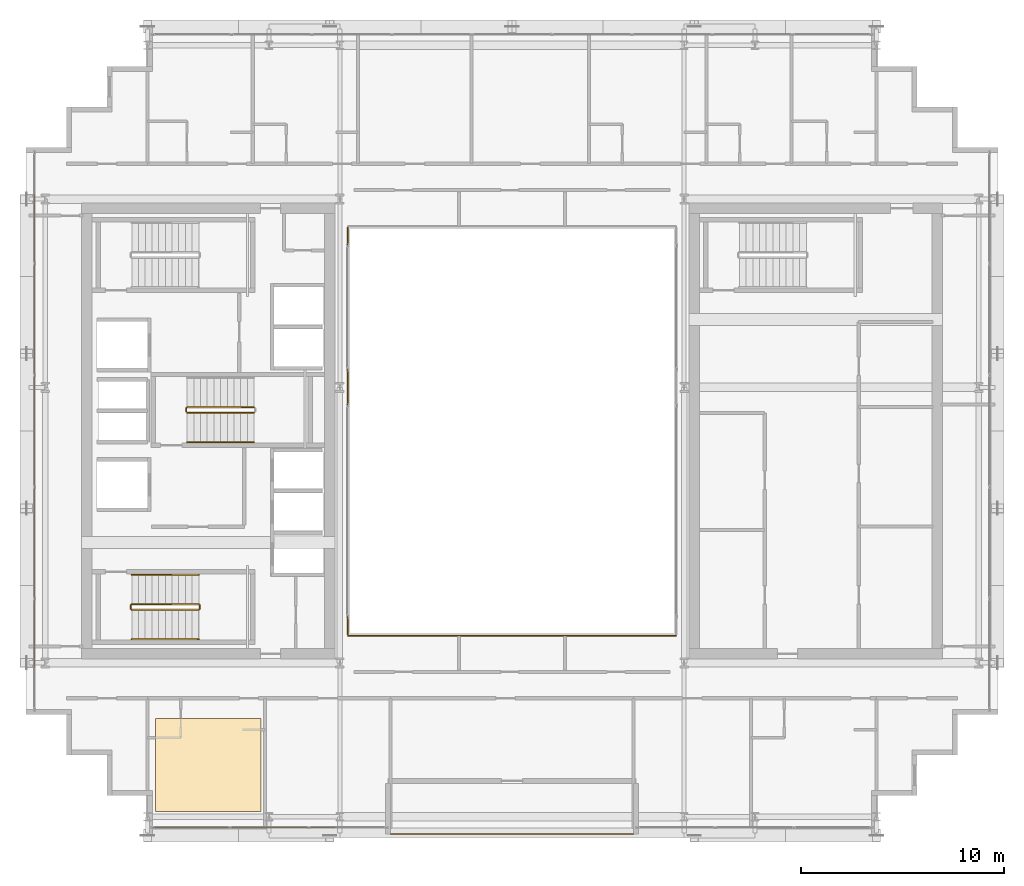
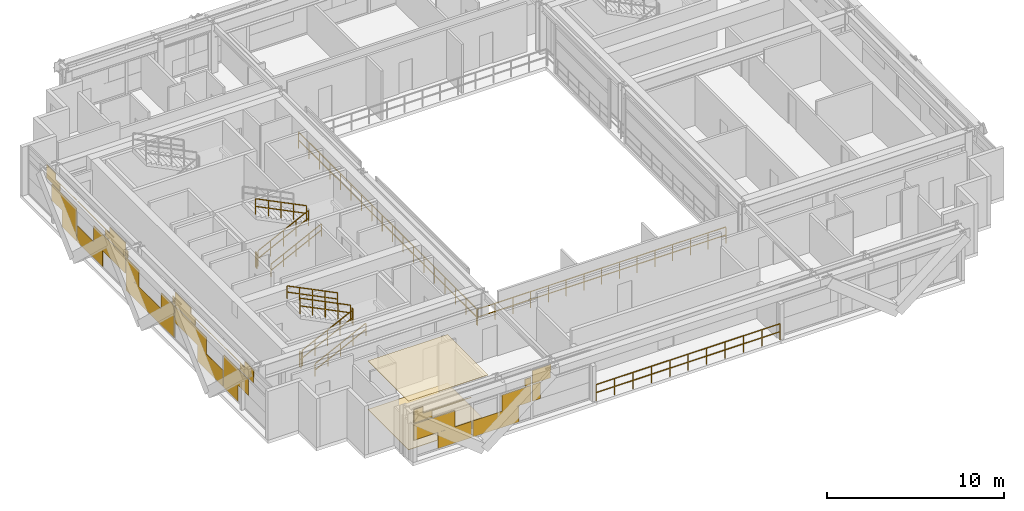
# One storey, part 34 of 37: 13 railings, 4 coverings.
"""IFC4 building model written with IfcOpenShell, lengths in metres."""

from ifc_helpers import new_model, si_unit, direction, frame, origin, origin_2d, place, context, subcontext, project, spatial, polyline, rectangle, outline, extrude, material, layer, layer_set, type_object, element, save


model = new_model("IFC4")

# Units and contexts
model_context = context("Model", 3, precision=1e-05, world=origin(), true_north=direction((0.0, 1.0)))
body_context = subcontext(model_context, "Body", "Model", "MODEL_VIEW")
ifc_project = project(units=[si_unit("LENGTHUNIT", "METRE"), si_unit("AREAUNIT", "SQUARE_METRE"), si_unit("VOLUMEUNIT", "CUBIC_METRE"), si_unit("PLANEANGLEUNIT", "RADIAN"), si_unit("MASSUNIT", "GRAM", prefix="KILO")], contexts=[model_context])

# Site, building, storey
site_placement = place(None, origin())
site = spatial("IfcSite", under=ifc_project, at=site_placement, CompositionType="ELEMENT")
building_placement = place(site_placement, origin())
building = spatial("IfcBuilding", under=site, at=building_placement, Name="Ocotamira Hotel", CompositionType="ELEMENT")
storey_placement = place(building_placement, frame((0.0, 0.0, 192.0)))
storey = spatial("IfcBuildingStorey", under=building, at=storey_placement, Name="L48", CompositionType="ELEMENT", Elevation=192.0)

# Coverings
ifc_material_1 = material(Name="Perforated acoustic gypsum ceiling board", Category="gypsum")
ifc_layer_1 = layer(ifc_material_1, 0.02490234375)
ifc_layer_set_1 = layer_set([ifc_layer_1], Name="Perforated acoustic gypsum ceiling board")
covering_type_1 = type_object("IfcCoveringType", Name="COV-CEIL-25", PredefinedType="CEILING", material=ifc_layer_set_1)
covering_1_placement = place(storey_placement, frame((0.0, 0.0, 3.344970703125)))
element("IfcCovering", 1, at=covering_1_placement, inside=storey, type_object=covering_type_1, Name="L48 Acoustic Ceiling", PredefinedType="CEILING", context=body_context, shape_type="SweptSolid", body=[
    extrude(outline(polyline([(14.39990234375, 7.199951171875), (19.60009765625, 7.199951171875), (19.60009765625, 11.800048828125), (14.39990234375, 11.800048828125), (14.39990234375, 7.199951171875)])), origin(), (0.0, 0.0, 1.0), 0.025146484375),
])
ifc_material_2 = material(Name="Honed desert travertine stone flooring", Category="masonry")
ifc_layer_2 = layer(ifc_material_2, 0.030029296875)
ifc_layer_set_2 = layer_set([ifc_layer_2], Name="Honed desert travertine stone flooring")
covering_type_2 = type_object("IfcCoveringType", Name="COV-FLOR-30", PredefinedType="FLOORING", material=ifc_layer_set_2)
covering_2_placement = place(storey_placement, origin())
element("IfcCovering", 2, at=covering_2_placement, inside=storey, type_object=covering_type_2, Name="L48 Honed Stone Floor Finish", PredefinedType="FLOORING", context=body_context, shape_type="SweptSolid", body=[
    extrude(outline(polyline([(14.39990234375, 7.199951171875), (19.60009765625, 7.199951171875), (19.60009765625, 11.800048828125), (14.39990234375, 11.800048828125), (14.39990234375, 7.199951171875)])), origin(), (0.0, 0.0, 1.0), 0.030029296875),
])
ifc_material_3 = material(Name="Insulated pale-metal aluminium spandrel panel", Category="aluminium")
ifc_layer_3 = layer(ifc_material_3, 0.044921875)
ifc_layer_set_3 = layer_set([ifc_layer_3], Name="Insulated pale-metal aluminium spandrel panel")
covering_type_3 = type_object("IfcCoveringType", Name="COV-INFILL-45", PredefinedType="CLADDING", material=ifc_layer_set_3)
covering_3_placement = place(storey_placement, origin())
element("IfcCovering", 3, at=covering_3_placement, inside=storey, type_object=covering_type_3, Name="L48 Curtain Wall Infill CW-4 CW-L48-S1", PredefinedType="CLADDING", context=body_context, shape_type="SweptSolid", body=[
    extrude(rectangle(XDim=2.68701171875, YDim=0.044921875, at=origin_2d()), frame((15.6240234375, 6.419921875, 1.1943359375), z_axis=(0.0, 0.0, 1.0), x_axis=(1.0, 0.0, 0.0)), (0.0, 0.0, 1.0), 1.117919921875),
    extrude(rectangle(XDim=2.19482421875, YDim=0.044921875, at=origin_2d()), frame((16.9453125, 6.419921875, 0.07568359375), z_axis=(0.0, 0.0, 1.0), x_axis=(1.0, 0.0, 0.0)), (0.0, 0.0, 1.0), 1.117919921875),
    extrude(rectangle(XDim=1.19482421875, YDim=0.044921875, at=origin_2d()), frame((14.8779296875, 6.419921875, 2.38818359375), z_axis=(0.0, 0.0, 1.0), x_axis=(1.0, 0.0, 0.0)), (0.0, 0.0, 1.0), 0.442626953125),
    extrude(rectangle(XDim=3.76220703125, YDim=0.044921875, at=origin_2d()), frame((16.16162109375, 6.419921875, 2.83154296875), z_axis=(0.0, 0.0, 1.0), x_axis=(1.0, 0.0, 0.0)), (0.0, 0.0, 1.0), 0.0302734375),
    extrude(rectangle(XDim=0.601318359375, YDim=0.044921875, at=origin_2d()), frame((14.581298828125, 6.419921875, 2.86279296875), z_axis=(0.0, 0.0, 1.0), x_axis=(1.0, 0.0, 0.0)), (0.0, 0.0, 1.0), 0.431640625),
    extrude(rectangle(XDim=3.028076171875, YDim=0.044921875, at=origin_2d()), frame((19.637939453125, 6.419921875, 0.07568359375), z_axis=(0.0, 0.0, 1.0), x_axis=(1.0, 0.0, 0.0)), (0.0, 0.0, 1.0), 1.117919921875),
    extrude(rectangle(XDim=1.893798828125, YDim=0.044921875, at=origin_2d()), frame((20.979248046875, 6.419921875, 1.1943359375), z_axis=(0.0, 0.0, 1.0), x_axis=(1.0, 0.0, 0.0)), (0.0, 0.0, 1.0), 1.117919921875),
    extrude(rectangle(XDim=0.401611328125, YDim=0.044921875, at=origin_2d()), frame((21.725341796875, 6.419921875, 2.38818359375), z_axis=(0.0, 0.0, 1.0), x_axis=(1.0, 0.0, 0.0)), (0.0, 0.0, 1.0), 0.473876953125),
    extrude(rectangle(XDim=0.543212890625, YDim=0.044921875, at=origin_2d()), frame((22.27880859375, 6.419921875, 1.1943359375), z_axis=(0.0, 0.0, 1.0), x_axis=(1.0, 0.0, 0.0)), (0.0, 0.0, 1.0), 1.117919921875),
    extrude(rectangle(XDim=1.19140625, YDim=0.044921875, at=origin_2d()), frame((22.602783203125, 6.419921875, 2.38818359375), z_axis=(0.0, 0.0, 1.0), x_axis=(1.0, 0.0, 0.0)), (0.0, 0.0, 1.0), 0.442626953125),
    extrude(rectangle(XDim=1.23046875, YDim=0.044921875, at=origin_2d()), frame((22.622314453125, 6.419921875, 2.83154296875), z_axis=(0.0, 0.0, 1.0), x_axis=(1.0, 0.0, 0.0)), (0.0, 0.0, 1.0), 0.462890625),
])
covering_4_placement = place(storey_placement, origin())
element("IfcCovering", 4, at=covering_4_placement, inside=storey, type_object=covering_type_3, Name="L48 Curtain Wall Infill CW-4 CW-L48-W", PredefinedType="CLADDING", context=body_context, shape_type="SweptSolid", body=[
    extrude(rectangle(XDim=2.782958984375, YDim=0.044921875, at=origin_2d()), frame((8.419921875, 16.2880859375, 1.1943359375), z_axis=(0.0, 0.0, 1.0), x_axis=(0.0, 1.0, 0.0)), (0.0, 0.0, 1.0), 1.117919921875),
    extrude(rectangle(XDim=1.596923828125, YDim=0.044921875, at=origin_2d()), frame((8.419921875, 16.881103515625, 0.07568359375), z_axis=(0.0, 0.0, 1.0), x_axis=(0.0, 1.0, 0.0)), (0.0, 0.0, 1.0), 1.117919921875),
    extrude(rectangle(XDim=3.38720703125, YDim=0.044921875, at=origin_2d()), frame((8.419921875, 15.98583984375, 2.848876953125), z_axis=(0.0, 0.0, 1.0), x_axis=(0.0, 1.0, 0.0)), (0.0, 0.0, 1.0), 0.033203125),
    extrude(rectangle(XDim=1.019287109375, YDim=0.044921875, at=origin_2d()), frame((8.419921875, 14.8017578125, 2.883056640625), z_axis=(0.0, 0.0, 1.0), x_axis=(0.0, 1.0, 0.0)), (0.0, 0.0, 1.0), 0.41162109375),
    extrude(rectangle(XDim=1.507568359375, YDim=0.044921875, at=origin_2d()), frame((8.419921875, 15.082275390625, 2.38818359375), z_axis=(0.0, 0.0, 1.0), x_axis=(0.0, 1.0, 0.0)), (0.0, 0.0, 1.0), 0.459716796875),
    extrude(rectangle(XDim=2.89013671875, YDim=0.044921875, at=origin_2d()), frame((8.419921875, 19.20556640625, 0.07568359375), z_axis=(0.0, 0.0, 1.0), x_axis=(0.0, 1.0, 0.0)), (0.0, 0.0, 1.0), 1.117919921875),
    extrude(rectangle(XDim=3.568115234375, YDim=0.044921875, at=origin_2d()), frame((8.419921875, 21.41552734375, 1.1943359375), z_axis=(0.0, 0.0, 1.0), x_axis=(0.0, 1.0, 0.0)), (0.0, 0.0, 1.0), 1.117919921875),
    extrude(rectangle(XDim=5.43896484375, YDim=0.044921875, at=origin_2d()), frame((8.419921875, 20.47998046875, 2.848876953125), z_axis=(0.0, 0.0, 1.0), x_axis=(0.0, 1.0, 0.0)), (0.0, 0.0, 1.0), 0.033203125),
    extrude(rectangle(XDim=2.302490234375, YDim=0.044921875, at=origin_2d()), frame((8.419921875, 22.04833984375, 2.38818359375), z_axis=(0.0, 0.0, 1.0), x_axis=(0.0, 1.0, 0.0)), (0.0, 0.0, 1.0), 0.459716796875),
    extrude(rectangle(XDim=1.777587890625, YDim=0.044921875, at=origin_2d()), frame((8.419921875, 22.310791015625, 2.883056640625), z_axis=(0.0, 0.0, 1.0), x_axis=(0.0, 1.0, 0.0)), (0.0, 0.0, 1.0), 0.41162109375),
    extrude(rectangle(XDim=5.43896484375, YDim=0.044921875, at=origin_2d()), frame((8.419921875, 26.0, 0.07568359375), z_axis=(0.0, 0.0, 1.0), x_axis=(0.0, 1.0, 0.0)), (0.0, 0.0, 1.0), 1.117919921875),
    extrude(rectangle(XDim=1.45458984375, YDim=0.044921875, at=origin_2d()), frame((8.419921875, 24.0078125, 1.1943359375), z_axis=(0.0, 0.0, 1.0), x_axis=(0.0, 1.0, 0.0)), (0.0, 0.0, 1.0), 1.117919921875),
    extrude(rectangle(XDim=1.45458984375, YDim=0.044921875, at=origin_2d()), frame((8.419921875, 27.9921875, 1.1943359375), z_axis=(0.0, 0.0, 1.0), x_axis=(0.0, 1.0, 0.0)), (0.0, 0.0, 1.0), 1.117919921875),
    extrude(rectangle(XDim=0.18896484375, YDim=0.044921875, at=origin_2d()), frame((8.419921875, 23.375, 2.38818359375), z_axis=(0.0, 0.0, 1.0), x_axis=(0.0, 1.0, 0.0)), (0.0, 0.0, 1.0), 0.493896484375),
    extrude(rectangle(XDim=0.18896484375, YDim=0.044921875, at=origin_2d()), frame((8.419921875, 28.625, 2.38818359375), z_axis=(0.0, 0.0, 1.0), x_axis=(0.0, 1.0, 0.0)), (0.0, 0.0, 1.0), 0.493896484375),
    extrude(rectangle(XDim=3.568115234375, YDim=0.044921875, at=origin_2d()), frame((8.419921875, 30.58447265625, 1.1943359375), z_axis=(0.0, 0.0, 1.0), x_axis=(0.0, 1.0, 0.0)), (0.0, 0.0, 1.0), 1.117919921875),
    extrude(rectangle(XDim=2.89013671875, YDim=0.044921875, at=origin_2d()), frame((8.419921875, 32.79443359375, 0.07568359375), z_axis=(0.0, 0.0, 1.0), x_axis=(0.0, 1.0, 0.0)), (0.0, 0.0, 1.0), 1.117919921875),
    extrude(rectangle(XDim=2.302490234375, YDim=0.044921875, at=origin_2d()), frame((8.419921875, 29.95166015625, 2.38818359375), z_axis=(0.0, 0.0, 1.0), x_axis=(0.0, 1.0, 0.0)), (0.0, 0.0, 1.0), 0.459716796875),
    extrude(rectangle(XDim=5.43896484375, YDim=0.044921875, at=origin_2d()), frame((8.419921875, 31.52001953125, 2.848876953125), z_axis=(0.0, 0.0, 1.0), x_axis=(0.0, 1.0, 0.0)), (0.0, 0.0, 1.0), 0.033203125),
    extrude(rectangle(XDim=1.777587890625, YDim=0.044921875, at=origin_2d()), frame((8.419921875, 29.689208984375, 2.883056640625), z_axis=(0.0, 0.0, 1.0), x_axis=(0.0, 1.0, 0.0)), (0.0, 0.0, 1.0), 0.41162109375),
    extrude(rectangle(XDim=1.596923828125, YDim=0.044921875, at=origin_2d()), frame((8.419921875, 35.118896484375, 0.07568359375), z_axis=(0.0, 0.0, 1.0), x_axis=(0.0, 1.0, 0.0)), (0.0, 0.0, 1.0), 1.117919921875),
    extrude(rectangle(XDim=2.782958984375, YDim=0.044921875, at=origin_2d()), frame((8.419921875, 35.7119140625, 1.1943359375), z_axis=(0.0, 0.0, 1.0), x_axis=(0.0, 1.0, 0.0)), (0.0, 0.0, 1.0), 1.117919921875),
    extrude(rectangle(XDim=3.38720703125, YDim=0.044921875, at=origin_2d()), frame((8.419921875, 36.01416015625, 2.848876953125), z_axis=(0.0, 0.0, 1.0), x_axis=(0.0, 1.0, 0.0)), (0.0, 0.0, 1.0), 0.033203125),
    extrude(rectangle(XDim=1.507568359375, YDim=0.044921875, at=origin_2d()), frame((8.419921875, 36.917724609375, 2.38818359375), z_axis=(0.0, 0.0, 1.0), x_axis=(0.0, 1.0, 0.0)), (0.0, 0.0, 1.0), 0.459716796875),
    extrude(rectangle(XDim=1.019287109375, YDim=0.044921875, at=origin_2d()), frame((8.419921875, 37.1982421875, 2.883056640625), z_axis=(0.0, 0.0, 1.0), x_axis=(0.0, 1.0, 0.0)), (0.0, 0.0, 1.0), 0.41162109375),
])

# Railings
ifc_material_4 = material(Name="Laminated glass and pale-metal balustrade", Category="glass")
railing_type_1 = type_object("IfcRailingType", Name="RL-BAL-1150", PredefinedType="BALUSTRADE", material=ifc_material_4)
railing_1_placement = place(storey_placement, frame((26.0, 6.10009765625, 0.0)))
element("IfcRailing", 5, at=railing_1_placement, inside=storey, type_object=railing_type_1, Name="L48 Sky Terrace Balustrade 1", PredefinedType="BALUSTRADE", context=body_context, shape_type="SweptSolid", body=[
    extrude(rectangle(XDim=0.048095703125, YDim=0.048095703125, at=origin_2d()), frame((0.0, 0.0, 1.1259765625), z_axis=(1.0, 0.0, 0.0), x_axis=(0.0, 1.0, 0.0)), (0.0, 0.0, 1.0), 12.0),
    extrude(rectangle(XDim=0.048095703125, YDim=0.048095703125, at=origin_2d()), frame((0.0, 0.0, 0.574951171875), z_axis=(1.0, 0.0, 0.0), x_axis=(0.0, 1.0, 0.0)), (0.0, 0.0, 1.0), 12.0),
    extrude(rectangle(XDim=0.0419921875, YDim=0.0419921875, at=origin_2d()), origin(), (0.0, 0.0, 1.0), 1.101806640625),
    extrude(rectangle(XDim=0.0419921875, YDim=0.0419921875, at=origin_2d()), frame((1.199951171875, 0.0, 0.0)), (0.0, 0.0, 1.0), 1.101806640625),
    extrude(rectangle(XDim=0.0419921875, YDim=0.0419921875, at=origin_2d()), frame((2.39990234375, 0.0, 0.0)), (0.0, 0.0, 1.0), 1.101806640625),
    extrude(rectangle(XDim=0.0419921875, YDim=0.0419921875, at=origin_2d()), frame((3.60009765625, 0.0, 0.0)), (0.0, 0.0, 1.0), 1.101806640625),
    extrude(rectangle(XDim=0.0419921875, YDim=0.0419921875, at=origin_2d()), frame((4.800048828125, 0.0, 0.0)), (0.0, 0.0, 1.0), 1.101806640625),
    extrude(rectangle(XDim=0.0419921875, YDim=0.0419921875, at=origin_2d()), frame((6.0, 0.0, 0.0)), (0.0, 0.0, 1.0), 1.101806640625),
    extrude(rectangle(XDim=0.0419921875, YDim=0.0419921875, at=origin_2d()), frame((7.199951171875, 0.0, 0.0)), (0.0, 0.0, 1.0), 1.101806640625),
    extrude(rectangle(XDim=0.0419921875, YDim=0.0419921875, at=origin_2d()), frame((8.39990234375, 0.0, 0.0)), (0.0, 0.0, 1.0), 1.101806640625),
    extrude(rectangle(XDim=0.0419921875, YDim=0.0419921875, at=origin_2d()), frame((9.60009765625, 0.0, 0.0)), (0.0, 0.0, 1.0), 1.101806640625),
    extrude(rectangle(XDim=0.0419921875, YDim=0.0419921875, at=origin_2d()), frame((10.800048828125, 0.0, 0.0)), (0.0, 0.0, 1.0), 1.101806640625),
    extrude(rectangle(XDim=0.0419921875, YDim=0.0419921875, at=origin_2d()), frame((12.0, 0.0, 0.0)), (0.0, 0.0, 1.0), 1.101806640625),
])
ifc_material_5 = material(Name="Painted steel stair guardrail", Category="steel")
railing_type_2 = type_object("IfcRailingType", Name="RL-EDGE-1150", PredefinedType="GUARDRAIL", material=ifc_material_5)
railing_2_placement = place(storey_placement, frame((23.89990234375, 15.8798828125, 0.0)))
element("IfcRailing", 6, at=railing_2_placement, inside=storey, type_object=railing_type_2, Name="L48 Central Atrium Edge Guardrail S", PredefinedType="GUARDRAIL", context=body_context, shape_type="SweptSolid", body=[
    extrude(rectangle(XDim=0.048095703125, YDim=0.048095703125, at=origin_2d()), frame((0.0, 0.0, 1.1259765625), z_axis=(1.0, 0.0, 0.0), x_axis=(0.0, 1.0, 0.0)), (0.0, 0.0, 1.0), 16.2001953125),
    extrude(rectangle(XDim=0.048095703125, YDim=0.048095703125, at=origin_2d()), frame((0.0, 0.0, 0.574951171875), z_axis=(1.0, 0.0, 0.0), x_axis=(0.0, 1.0, 0.0)), (0.0, 0.0, 1.0), 16.2001953125),
    extrude(rectangle(XDim=0.0419921875, YDim=0.0419921875, at=origin_2d()), origin(), (0.0, 0.0, 1.0), 1.101806640625),
    extrude(rectangle(XDim=0.0419921875, YDim=0.0419921875, at=origin_2d()), frame((1.1572265625, 0.0, 0.0)), (0.0, 0.0, 1.0), 1.101806640625),
    extrude(rectangle(XDim=0.0419921875, YDim=0.0419921875, at=origin_2d()), frame((2.314208984375, 0.0, 0.0)), (0.0, 0.0, 1.0), 1.101806640625),
    extrude(rectangle(XDim=0.0419921875, YDim=0.0419921875, at=origin_2d()), frame((3.471435546875, 0.0, 0.0)), (0.0, 0.0, 1.0), 1.101806640625),
    extrude(rectangle(XDim=0.0419921875, YDim=0.0419921875, at=origin_2d()), frame((4.628662109375, 0.0, 0.0)), (0.0, 0.0, 1.0), 1.101806640625),
    extrude(rectangle(XDim=0.0419921875, YDim=0.0419921875, at=origin_2d()), frame((5.785888671875, 0.0, 0.0)), (0.0, 0.0, 1.0), 1.101806640625),
    extrude(rectangle(XDim=0.0419921875, YDim=0.0419921875, at=origin_2d()), frame((6.94287109375, 0.0, 0.0)), (0.0, 0.0, 1.0), 1.101806640625),
    extrude(rectangle(XDim=0.0419921875, YDim=0.0419921875, at=origin_2d()), frame((8.10009765625, 0.0, 0.0)), (0.0, 0.0, 1.0), 1.101806640625),
    extrude(rectangle(XDim=0.0419921875, YDim=0.0419921875, at=origin_2d()), frame((9.25732421875, 0.0, 0.0)), (0.0, 0.0, 1.0), 1.101806640625),
    extrude(rectangle(XDim=0.0419921875, YDim=0.0419921875, at=origin_2d()), frame((10.414306640625, 0.0, 0.0)), (0.0, 0.0, 1.0), 1.101806640625),
    extrude(rectangle(XDim=0.0419921875, YDim=0.0419921875, at=origin_2d()), frame((11.571533203125, 0.0, 0.0)), (0.0, 0.0, 1.0), 1.101806640625),
    extrude(rectangle(XDim=0.0419921875, YDim=0.0419921875, at=origin_2d()), frame((12.728759765625, 0.0, 0.0)), (0.0, 0.0, 1.0), 1.101806640625),
    extrude(rectangle(XDim=0.0419921875, YDim=0.0419921875, at=origin_2d()), frame((13.885986328125, 0.0, 0.0)), (0.0, 0.0, 1.0), 1.101806640625),
    extrude(rectangle(XDim=0.0419921875, YDim=0.0419921875, at=origin_2d()), frame((15.04296875, 0.0, 0.0)), (0.0, 0.0, 1.0), 1.101806640625),
    extrude(rectangle(XDim=0.0419921875, YDim=0.0419921875, at=origin_2d()), frame((16.2001953125, 0.0, 0.0)), (0.0, 0.0, 1.0), 1.101806640625),
])
railing_3_placement = place(storey_placement, frame((23.8798828125, 36.0400390625, 0.0)))
element("IfcRailing", 7, at=railing_3_placement, inside=storey, type_object=railing_type_2, Name="L48 Central Atrium Edge Guardrail W", PredefinedType="GUARDRAIL", context=body_context, shape_type="SweptSolid", body=[
    extrude(rectangle(XDim=0.048095703125, YDim=0.048095703125, at=origin_2d()), frame((0.0, 0.0, 1.1259765625), z_axis=(0.0, -1.0, 0.0), x_axis=(1.0, 0.0, 0.0)), (0.0, 0.0, 1.0), 20.080078125),
    extrude(rectangle(XDim=0.048095703125, YDim=0.048095703125, at=origin_2d()), frame((0.0, 0.0, 0.574951171875), z_axis=(0.0, -1.0, 0.0), x_axis=(1.0, 0.0, 0.0)), (0.0, 0.0, 1.0), 20.080078125),
    extrude(rectangle(XDim=0.0419921875, YDim=0.0419921875, at=origin_2d()), origin(), (0.0, 0.0, 1.0), 1.101806640625),
    extrude(rectangle(XDim=0.0419921875, YDim=0.0419921875, at=origin_2d()), frame((0.0, -1.18115234375, 0.0)), (0.0, 0.0, 1.0), 1.101806640625),
    extrude(rectangle(XDim=0.0419921875, YDim=0.0419921875, at=origin_2d()), frame((0.0, -2.3623046875, 0.0)), (0.0, 0.0, 1.0), 1.101806640625),
    extrude(rectangle(XDim=0.0419921875, YDim=0.0419921875, at=origin_2d()), frame((0.0, -3.54345703125, 0.0)), (0.0, 0.0, 1.0), 1.101806640625),
    extrude(rectangle(XDim=0.0419921875, YDim=0.0419921875, at=origin_2d()), frame((0.0, -4.724609375, 0.0)), (0.0, 0.0, 1.0), 1.101806640625),
    extrude(rectangle(XDim=0.0419921875, YDim=0.0419921875, at=origin_2d()), frame((0.0, -5.906005859375, 0.0)), (0.0, 0.0, 1.0), 1.101806640625),
    extrude(rectangle(XDim=0.0419921875, YDim=0.0419921875, at=origin_2d()), frame((0.0, -7.087158203125, 0.0)), (0.0, 0.0, 1.0), 1.101806640625),
    extrude(rectangle(XDim=0.0419921875, YDim=0.0419921875, at=origin_2d()), frame((0.0, -8.268310546875, 0.0)), (0.0, 0.0, 1.0), 1.101806640625),
    extrude(rectangle(XDim=0.0419921875, YDim=0.0419921875, at=origin_2d()), frame((0.0, -9.449462890625, 0.0)), (0.0, 0.0, 1.0), 1.101806640625),
    extrude(rectangle(XDim=0.0419921875, YDim=0.0419921875, at=origin_2d()), frame((0.0, -10.630615234375, 0.0)), (0.0, 0.0, 1.0), 1.101806640625),
    extrude(rectangle(XDim=0.0419921875, YDim=0.0419921875, at=origin_2d()), frame((0.0, -11.811767578125, 0.0)), (0.0, 0.0, 1.0), 1.101806640625),
    extrude(rectangle(XDim=0.0419921875, YDim=0.0419921875, at=origin_2d()), frame((0.0, -12.992919921875, 0.0)), (0.0, 0.0, 1.0), 1.101806640625),
    extrude(rectangle(XDim=0.0419921875, YDim=0.0419921875, at=origin_2d()), frame((0.0, -14.174072265625, 0.0)), (0.0, 0.0, 1.0), 1.101806640625),
    extrude(rectangle(XDim=0.0419921875, YDim=0.0419921875, at=origin_2d()), frame((0.0, -15.35546875, 0.0)), (0.0, 0.0, 1.0), 1.101806640625),
    extrude(rectangle(XDim=0.0419921875, YDim=0.0419921875, at=origin_2d()), frame((0.0, -16.53662109375, 0.0)), (0.0, 0.0, 1.0), 1.101806640625),
    extrude(rectangle(XDim=0.0419921875, YDim=0.0419921875, at=origin_2d()), frame((0.0, -17.7177734375, 0.0)), (0.0, 0.0, 1.0), 1.101806640625),
    extrude(rectangle(XDim=0.0419921875, YDim=0.0419921875, at=origin_2d()), frame((0.0, -18.89892578125, 0.0)), (0.0, 0.0, 1.0), 1.101806640625),
    extrude(rectangle(XDim=0.0419921875, YDim=0.0419921875, at=origin_2d()), frame((0.0, -20.080078125, 0.0)), (0.0, 0.0, 1.0), 1.101806640625),
])
ifc_material_6 = material(Name="Brushed stainless steel handrail", Category="steel")
railing_type_3 = type_object("IfcRailingType", Name="RL-HAND-900", PredefinedType="HANDRAIL", material=ifc_material_6)
railing_4_placement = place(storey_placement, frame((13.22998046875, 15.719970703125, 0.327392578125)))
element("IfcRailing", 8, at=railing_4_placement, inside=storey, type_object=railing_type_3, Name="L48 ST-1 stair handrail 1", PredefinedType="HANDRAIL", context=body_context, shape_type="SweptSolid", body=[
    extrude(rectangle(XDim=0.048095703125, YDim=0.048095703125, at=origin_2d()), frame((0.0, 0.0, 0.8759765625), z_axis=(0.895920123917, 0.0, 0.444215186098), x_axis=(0.0, 1.0, 0.0)), (0.0, 0.0, 1.0), 3.683349609375),
    extrude(rectangle(XDim=0.048095703125, YDim=0.048095703125, at=origin_2d()), frame((0.0, 0.0, 0.449951171875), z_axis=(0.895920123917, 0.0, 0.444215186098), x_axis=(0.0, 1.0, 0.0)), (0.0, 0.0, 1.0), 3.683349609375),
    extrude(rectangle(XDim=0.0419921875, YDim=0.0419921875, at=origin_2d()), origin(), (0.0, 0.0, 1.0), 0.851806640625),
    extrude(rectangle(XDim=0.0419921875, YDim=0.0419921875, at=origin_2d()), frame((0.824951171875, 0.0, 0.4091796875)), (0.0, 0.0, 1.0), 0.851806640625),
    extrude(rectangle(XDim=0.0419921875, YDim=0.0419921875, at=origin_2d()), frame((1.64990234375, 0.0, 0.818115234375)), (0.0, 0.0, 1.0), 0.851806640625),
    extrude(rectangle(XDim=0.0419921875, YDim=0.0419921875, at=origin_2d()), frame((2.47509765625, 0.0, 1.22705078125)), (0.0, 0.0, 1.0), 0.851806640625),
    extrude(rectangle(XDim=0.0419921875, YDim=0.0419921875, at=origin_2d()), frame((3.300048828125, 0.0, 1.63623046875)), (0.0, 0.0, 1.0), 0.851806640625),
])
railing_5_placement = place(storey_placement, frame((16.530029296875, 18.89990234375, 2.127197265625)))
element("IfcRailing", 9, at=railing_5_placement, inside=storey, type_object=railing_type_3, Name="L48 ST-1 stair handrail 2", PredefinedType="HANDRAIL", context=body_context, shape_type="SweptSolid", body=[
    extrude(rectangle(XDim=0.048095703125, YDim=0.048095703125, at=origin_2d()), frame((0.0, 0.0, 0.8759765625), z_axis=(-0.895893744519, 0.0, 0.4442683857), x_axis=(0.0, -1.0, 0.0)), (0.0, 0.0, 1.0), 3.68359375),
    extrude(rectangle(XDim=0.048095703125, YDim=0.048095703125, at=origin_2d()), frame((0.0, 0.0, 0.449951171875), z_axis=(-0.895893744519, 0.0, 0.4442683857), x_axis=(0.0, -1.0, 0.0)), (0.0, 0.0, 1.0), 3.68359375),
    extrude(rectangle(XDim=0.0419921875, YDim=0.0419921875, at=origin_2d()), origin(), (0.0, 0.0, 1.0), 0.851806640625),
    extrude(rectangle(XDim=0.0419921875, YDim=0.0419921875, at=origin_2d()), frame((-0.824951171875, 0.0, 0.4091796875)), (0.0, 0.0, 1.0), 0.851806640625),
    extrude(rectangle(XDim=0.0419921875, YDim=0.0419921875, at=origin_2d()), frame((-1.64990234375, 0.0, 0.818359375)), (0.0, 0.0, 1.0), 0.851806640625),
    extrude(rectangle(XDim=0.0419921875, YDim=0.0419921875, at=origin_2d()), frame((-2.47509765625, 0.0, 1.227294921875)), (0.0, 0.0, 1.0), 0.851806640625),
    extrude(rectangle(XDim=0.0419921875, YDim=0.0419921875, at=origin_2d()), frame((-3.300048828125, 0.0, 1.636474609375)), (0.0, 0.0, 1.0), 0.851806640625),
])
railing_6_placement = place(storey_placement, frame((15.9599609375, 25.449951171875, 0.327392578125)))
element("IfcRailing", 10, at=railing_6_placement, inside=storey, type_object=railing_type_3, Name="L48 ST-3 stair handrail 1", PredefinedType="HANDRAIL", context=body_context, shape_type="SweptSolid", body=[
    extrude(rectangle(XDim=0.048095703125, YDim=0.048095703125, at=origin_2d()), frame((0.0, 0.0, 0.8759765625), z_axis=(0.895920123917, 0.0, 0.444215186098), x_axis=(0.0, 1.0, 0.0)), (0.0, 0.0, 1.0), 3.683349609375),
    extrude(rectangle(XDim=0.048095703125, YDim=0.048095703125, at=origin_2d()), frame((0.0, 0.0, 0.449951171875), z_axis=(0.895920123917, 0.0, 0.444215186098), x_axis=(0.0, 1.0, 0.0)), (0.0, 0.0, 1.0), 3.683349609375),
    extrude(rectangle(XDim=0.0419921875, YDim=0.0419921875, at=origin_2d()), origin(), (0.0, 0.0, 1.0), 0.851806640625),
    extrude(rectangle(XDim=0.0419921875, YDim=0.0419921875, at=origin_2d()), frame((0.824951171875, 0.0, 0.4091796875)), (0.0, 0.0, 1.0), 0.851806640625),
    extrude(rectangle(XDim=0.0419921875, YDim=0.0419921875, at=origin_2d()), frame((1.64990234375, 0.0, 0.818115234375)), (0.0, 0.0, 1.0), 0.851806640625),
    extrude(rectangle(XDim=0.0419921875, YDim=0.0419921875, at=origin_2d()), frame((2.47509765625, 0.0, 1.22705078125)), (0.0, 0.0, 1.0), 0.851806640625),
    extrude(rectangle(XDim=0.0419921875, YDim=0.0419921875, at=origin_2d()), frame((3.300048828125, 0.0, 1.63623046875)), (0.0, 0.0, 1.0), 0.851806640625),
])
railing_type_4 = type_object("IfcRailingType", Name="RL-STAIR-1100", PredefinedType="GUARDRAIL", material=ifc_material_5)
railing_7_placement = place(storey_placement, frame((13.22998046875, 17.179931640625, 0.16357421875)))
element("IfcRailing", 11, at=railing_7_placement, inside=storey, type_object=railing_type_4, Name="L48 ST-1 stair guard 1", PredefinedType="GUARDRAIL", context=body_context, shape_type="SweptSolid", body=[
    extrude(rectangle(XDim=0.048095703125, YDim=0.048095703125, at=origin_2d()), frame((0.0, 0.0, 1.076171875), z_axis=(0.895893744519, 0.0, 0.4442683857), x_axis=(0.0, 1.0, 0.0)), (0.0, 0.0, 1.0), 3.68359375),
    extrude(rectangle(XDim=0.048095703125, YDim=0.048095703125, at=origin_2d()), frame((0.0, 0.0, 0.550048828125), z_axis=(0.895893744519, 0.0, 0.4442683857), x_axis=(0.0, 1.0, 0.0)), (0.0, 0.0, 1.0), 3.68359375),
    extrude(rectangle(XDim=0.0419921875, YDim=0.0419921875, at=origin_2d()), origin(), (0.0, 0.0, 1.0), 1.052001953125),
    extrude(rectangle(XDim=0.0419921875, YDim=0.0419921875, at=origin_2d()), frame((0.824951171875, 0.0, 0.4091796875)), (0.0, 0.0, 1.0), 1.052001953125),
    extrude(rectangle(XDim=0.0419921875, YDim=0.0419921875, at=origin_2d()), frame((1.64990234375, 0.0, 0.818359375)), (0.0, 0.0, 1.0), 1.052001953125),
    extrude(rectangle(XDim=0.0419921875, YDim=0.0419921875, at=origin_2d()), frame((2.47509765625, 0.0, 1.227294921875)), (0.0, 0.0, 1.0), 1.052001953125),
    extrude(rectangle(XDim=0.0419921875, YDim=0.0419921875, at=origin_2d()), frame((3.300048828125, 0.0, 1.636474609375)), (0.0, 0.0, 1.0), 1.052001953125),
])
railing_8_placement = place(storey_placement, frame((16.580078125, 17.22998046875, 1.800048828125)))
element("IfcRailing", 12, at=railing_8_placement, inside=storey, type_object=railing_type_4, Name="L48 ST-1 stair guard 2", PredefinedType="GUARDRAIL", context=body_context, shape_type="SweptSolid", body=[
    extrude(rectangle(XDim=0.048095703125, YDim=0.048095703125, at=origin_2d()), frame((0.0, 0.0, 1.076171875), z_axis=(0.0, 1.0, 0.0), x_axis=(-1.0, 0.0, 0.0)), (0.0, 0.0, 1.0), 0.159912109375),
    extrude(rectangle(XDim=0.048095703125, YDim=0.048095703125, at=origin_2d()), frame((0.0, 0.0, 0.550048828125), z_axis=(0.0, 1.0, 0.0), x_axis=(-1.0, 0.0, 0.0)), (0.0, 0.0, 1.0), 0.159912109375),
    extrude(rectangle(XDim=0.0419921875, YDim=0.0419921875, at=origin_2d()), origin(), (0.0, 0.0, 1.0), 1.052001953125),
    extrude(rectangle(XDim=0.0419921875, YDim=0.0419921875, at=origin_2d()), frame((0.0, 0.159912109375, 0.0)), (0.0, 0.0, 1.0), 1.052001953125),
])
railing_9_placement = place(storey_placement, frame((16.530029296875, 17.43994140625, 1.963623046875)))
element("IfcRailing", 13, at=railing_9_placement, inside=storey, type_object=railing_type_4, Name="L48 ST-1 stair guard 3", PredefinedType="GUARDRAIL", context=body_context, shape_type="SweptSolid", body=[
    extrude(rectangle(XDim=0.048095703125, YDim=0.048095703125, at=origin_2d()), frame((0.0, 0.0, 1.076171875), z_axis=(-0.895893744519, 0.0, 0.4442683857), x_axis=(0.0, -1.0, 0.0)), (0.0, 0.0, 1.0), 3.68359375),
    extrude(rectangle(XDim=0.048095703125, YDim=0.048095703125, at=origin_2d()), frame((0.0, 0.0, 0.550048828125), z_axis=(-0.895893744519, 0.0, 0.4442683857), x_axis=(0.0, -1.0, 0.0)), (0.0, 0.0, 1.0), 3.68359375),
    extrude(rectangle(XDim=0.0419921875, YDim=0.0419921875, at=origin_2d()), origin(), (0.0, 0.0, 1.0), 1.052001953125),
    extrude(rectangle(XDim=0.0419921875, YDim=0.0419921875, at=origin_2d()), frame((-0.824951171875, 0.0, 0.4091796875)), (0.0, 0.0, 1.0), 1.052001953125),
    extrude(rectangle(XDim=0.0419921875, YDim=0.0419921875, at=origin_2d()), frame((-1.64990234375, 0.0, 0.818359375)), (0.0, 0.0, 1.0), 1.052001953125),
    extrude(rectangle(XDim=0.0419921875, YDim=0.0419921875, at=origin_2d()), frame((-2.47509765625, 0.0, 1.227294921875)), (0.0, 0.0, 1.0), 1.052001953125),
    extrude(rectangle(XDim=0.0419921875, YDim=0.0419921875, at=origin_2d()), frame((-3.300048828125, 0.0, 1.636474609375)), (0.0, 0.0, 1.0), 1.052001953125),
])
railing_10_placement = place(storey_placement, frame((13.179931640625, 17.22998046875, 0.0)))
element("IfcRailing", 14, at=railing_10_placement, inside=storey, type_object=railing_type_4, Name="L48 ST-1 stair guard 4", PredefinedType="GUARDRAIL", context=body_context, shape_type="SweptSolid", body=[
    extrude(rectangle(XDim=0.048095703125, YDim=0.048095703125, at=origin_2d()), frame((0.0, 0.0, 1.076171875), z_axis=(0.0, 1.0, 0.0), x_axis=(-1.0, 0.0, 0.0)), (0.0, 0.0, 1.0), 0.159912109375),
    extrude(rectangle(XDim=0.048095703125, YDim=0.048095703125, at=origin_2d()), frame((0.0, 0.0, 0.550048828125), z_axis=(0.0, 1.0, 0.0), x_axis=(-1.0, 0.0, 0.0)), (0.0, 0.0, 1.0), 0.159912109375),
    extrude(rectangle(XDim=0.0419921875, YDim=0.0419921875, at=origin_2d()), origin(), (0.0, 0.0, 1.0), 1.052001953125),
    extrude(rectangle(XDim=0.0419921875, YDim=0.0419921875, at=origin_2d()), frame((0.0, 0.159912109375, 0.0)), (0.0, 0.0, 1.0), 1.052001953125),
])
railing_11_placement = place(storey_placement, frame((15.9599609375, 26.909912109375, 0.16357421875)))
element("IfcRailing", 15, at=railing_11_placement, inside=storey, type_object=railing_type_4, Name="L48 ST-3 stair guard 1", PredefinedType="GUARDRAIL", context=body_context, shape_type="SweptSolid", body=[
    extrude(rectangle(XDim=0.048095703125, YDim=0.048095703125, at=origin_2d()), frame((0.0, 0.0, 1.076171875), z_axis=(0.895893744519, 0.0, 0.4442683857), x_axis=(0.0, 1.0, 0.0)), (0.0, 0.0, 1.0), 3.68359375),
    extrude(rectangle(XDim=0.048095703125, YDim=0.048095703125, at=origin_2d()), frame((0.0, 0.0, 0.550048828125), z_axis=(0.895893744519, 0.0, 0.4442683857), x_axis=(0.0, 1.0, 0.0)), (0.0, 0.0, 1.0), 3.68359375),
    extrude(rectangle(XDim=0.0419921875, YDim=0.0419921875, at=origin_2d()), origin(), (0.0, 0.0, 1.0), 1.052001953125),
    extrude(rectangle(XDim=0.0419921875, YDim=0.0419921875, at=origin_2d()), frame((0.824951171875, 0.0, 0.4091796875)), (0.0, 0.0, 1.0), 1.052001953125),
    extrude(rectangle(XDim=0.0419921875, YDim=0.0419921875, at=origin_2d()), frame((1.64990234375, 0.0, 0.818359375)), (0.0, 0.0, 1.0), 1.052001953125),
    extrude(rectangle(XDim=0.0419921875, YDim=0.0419921875, at=origin_2d()), frame((2.47509765625, 0.0, 1.227294921875)), (0.0, 0.0, 1.0), 1.052001953125),
    extrude(rectangle(XDim=0.0419921875, YDim=0.0419921875, at=origin_2d()), frame((3.300048828125, 0.0, 1.636474609375)), (0.0, 0.0, 1.0), 1.052001953125),
])
railing_12_placement = place(storey_placement, frame((19.260009765625, 27.169921875, 1.963623046875)))
element("IfcRailing", 16, at=railing_12_placement, inside=storey, type_object=railing_type_4, Name="L48 ST-3 stair guard 3", PredefinedType="GUARDRAIL", context=body_context, shape_type="SweptSolid", body=[
    extrude(rectangle(XDim=0.048095703125, YDim=0.048095703125, at=origin_2d()), frame((0.0, 0.0, 1.076171875), z_axis=(-0.895893744519, 0.0, 0.4442683857), x_axis=(0.0, -1.0, 0.0)), (0.0, 0.0, 1.0), 3.68359375),
    extrude(rectangle(XDim=0.048095703125, YDim=0.048095703125, at=origin_2d()), frame((0.0, 0.0, 0.550048828125), z_axis=(-0.895893744519, 0.0, 0.4442683857), x_axis=(0.0, -1.0, 0.0)), (0.0, 0.0, 1.0), 3.68359375),
    extrude(rectangle(XDim=0.0419921875, YDim=0.0419921875, at=origin_2d()), origin(), (0.0, 0.0, 1.0), 1.052001953125),
    extrude(rectangle(XDim=0.0419921875, YDim=0.0419921875, at=origin_2d()), frame((-0.824951171875, 0.0, 0.4091796875)), (0.0, 0.0, 1.0), 1.052001953125),
    extrude(rectangle(XDim=0.0419921875, YDim=0.0419921875, at=origin_2d()), frame((-1.64990234375, 0.0, 0.818359375)), (0.0, 0.0, 1.0), 1.052001953125),
    extrude(rectangle(XDim=0.0419921875, YDim=0.0419921875, at=origin_2d()), frame((-2.47509765625, 0.0, 1.227294921875)), (0.0, 0.0, 1.0), 1.052001953125),
    extrude(rectangle(XDim=0.0419921875, YDim=0.0419921875, at=origin_2d()), frame((-3.300048828125, 0.0, 1.636474609375)), (0.0, 0.0, 1.0), 1.052001953125),
])
railing_13_placement = place(storey_placement, frame((15.909912109375, 26.9599609375, 0.0)))
element("IfcRailing", 17, at=railing_13_placement, inside=storey, type_object=railing_type_4, Name="L48 ST-3 stair guard 4", PredefinedType="GUARDRAIL", context=body_context, shape_type="SweptSolid", body=[
    extrude(rectangle(XDim=0.048095703125, YDim=0.048095703125, at=origin_2d()), frame((0.0, 0.0, 1.076171875), z_axis=(0.0, 1.0, 0.0), x_axis=(-1.0, 0.0, 0.0)), (0.0, 0.0, 1.0), 0.16015625),
    extrude(rectangle(XDim=0.048095703125, YDim=0.048095703125, at=origin_2d()), frame((0.0, 0.0, 0.550048828125), z_axis=(0.0, 1.0, 0.0), x_axis=(-1.0, 0.0, 0.0)), (0.0, 0.0, 1.0), 0.16015625),
    extrude(rectangle(XDim=0.0419921875, YDim=0.0419921875, at=origin_2d()), origin(), (0.0, 0.0, 1.0), 1.052001953125),
    extrude(rectangle(XDim=0.0419921875, YDim=0.0419921875, at=origin_2d()), frame((0.0, 0.16015625, 0.0)), (0.0, 0.0, 1.0), 1.052001953125),
])

save(model, "model.ifc")
